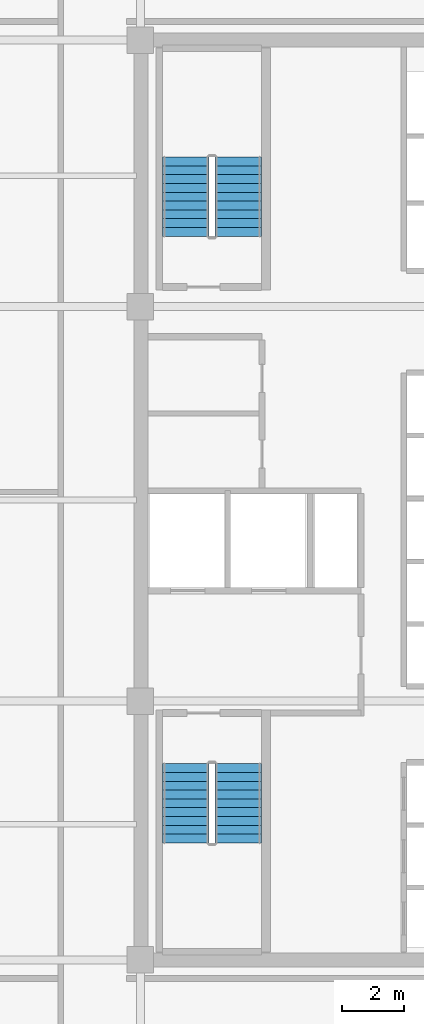
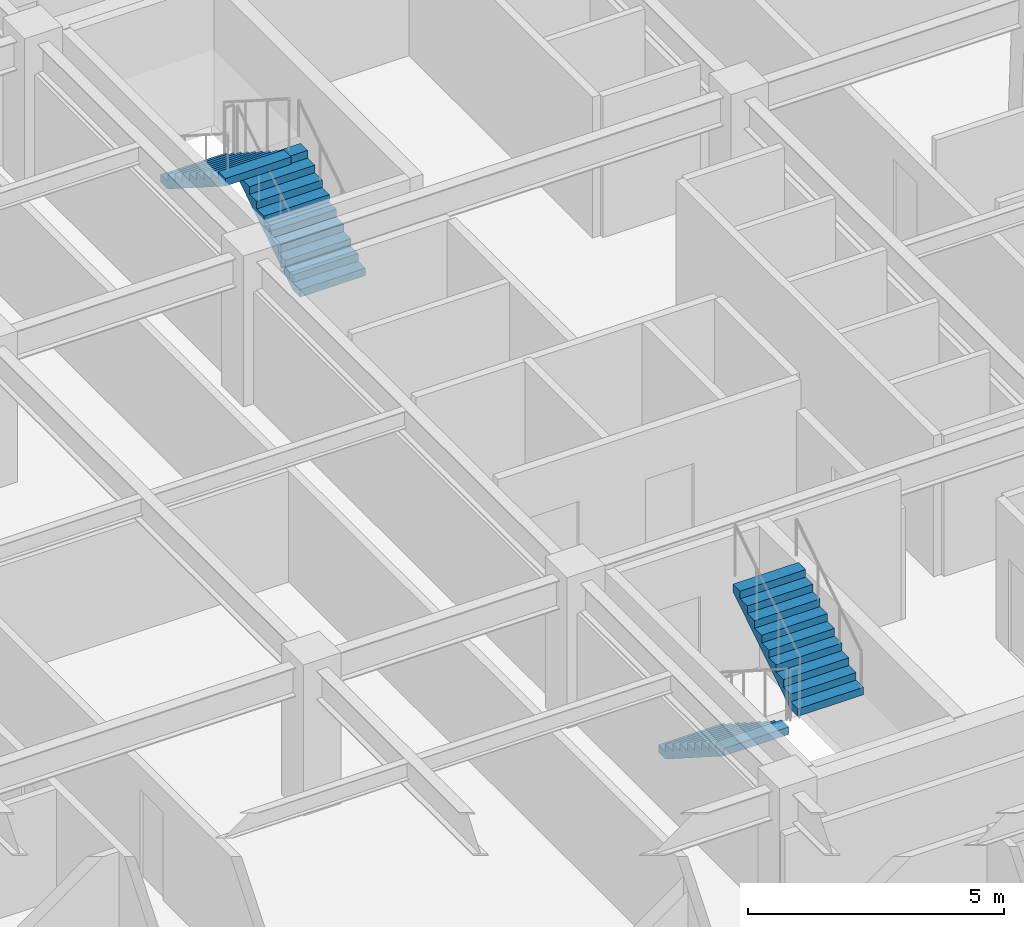
# One storey, part 12 of 13: 4 stair flights, 2 elements without a shape of their own.
"""IFC4 building model written with IfcOpenShell, lengths in metres."""

from ifc_helpers import new_model, si_unit, direction, frame, origin, place, context, subcontext, project, spatial, polyline, outline, extrude, material, type_object, element, aggregate, save


model = new_model("IFC4")

# Units and contexts
model_context = context("Model", 3, precision=1e-05, world=origin(), true_north=direction((0.0, 1.0)))
body_context = subcontext(model_context, "Body", "Model", "MODEL_VIEW")
ifc_project = project(units=[si_unit("LENGTHUNIT", "METRE"), si_unit("AREAUNIT", "SQUARE_METRE"), si_unit("VOLUMEUNIT", "CUBIC_METRE"), si_unit("PLANEANGLEUNIT", "RADIAN"), si_unit("MASSUNIT", "GRAM", prefix="KILO")], contexts=[model_context])

# Site, building, storey
site_placement = place(None, origin())
site = spatial("IfcSite", under=ifc_project, at=site_placement, CompositionType="ELEMENT")
building_placement = place(site_placement, origin())
building = spatial("IfcBuilding", under=site, at=building_placement, Name="Ochreholt Gables", CompositionType="ELEMENT")
storey_placement = place(building_placement, frame((0.0, 0.0, 49.199951171875)))
storey = spatial("IfcBuildingStorey", under=building, at=storey_placement, Name="L12", CompositionType="ELEMENT", Elevation=49.199951171875)

# Stair, stair flights
ifc_material = material(Name="Concrete 40 MPa", Category="concrete")
stair_type_1 = type_object("IfcStairType", Name="STAIR-CORE-ST-1", PredefinedType="HALF_TURN_STAIR", material=ifc_material)
stair_1_placement = place(storey_placement, origin())
stair_1 = element("IfcStair", 1, at=stair_1_placement, inside=storey, type_object=stair_type_1, Name="L12 Core Exit Stair 1", PredefinedType="HALF_TURN_STAIR")
stair_flight_type = type_object("IfcStairFlightType", Name="FLIGHT-ST-1480-1800", PredefinedType="STRAIGHT", material=ifc_material)
stair_flight_1_placement = place(storey_placement, frame((25.659912109375, 15.5400390625, 0.0), z_axis=(0.0, 0.0, 1.0), x_axis=(0.0, -1.0, 0.0)))
stair_flight_1 = element("IfcStairFlight", 2, at=stair_flight_1_placement, type_object=stair_flight_type, Name="ST-1 flight 1", NumberOfRisers=10, NumberOfTreads=9, PredefinedType="STRAIGHT", RiserHeight=0.18, TreadLength=0.282, context=body_context, shape_type="SweptSolid", body=[
    extrude(outline(polyline([(0.0, 0.0), (0.0, 0.179931640625), (0.281982421875, 0.179931640625), (0.281982421875, 0.360107421875), (0.56396484375, 0.360107421875), (0.56396484375, 0.5400390625), (0.845947265625, 0.5400390625), (0.845947265625, 0.719970703125), (1.1279296875, 0.719970703125), (1.1279296875, 0.89990234375), (1.409912109375, 0.89990234375), (1.409912109375, 1.080078125), (1.69189453125, 1.080078125), (1.69189453125, 1.260009765625), (1.97412109375, 1.260009765625), (1.97412109375, 1.43994140625), (2.256103515625, 1.43994140625), (2.256103515625, 1.6201171875), (2.5380859375, 1.6201171875), (2.5380859375, 1.800048828125), (2.5380859375, 1.442138671875), (0.278564453125, 0.0), (0.0, 0.0)])), frame((0.0, 0.739990234375, 0.0), z_axis=(0.0, -1.0, 0.0), x_axis=(1.0, 0.0, 0.0)), (0.0, 0.0, 1.0), 1.47998046875),
])
stair_flight_2_placement = place(storey_placement, frame((27.340087890625, 13.001953125, 1.800048828125), z_axis=(0.0, 0.0, 1.0), x_axis=(0.0, 1.0, 0.0)))
stair_flight_2 = element("IfcStairFlight", 3, at=stair_flight_2_placement, type_object=stair_flight_type, Name="ST-1 flight 2", NumberOfRisers=10, NumberOfTreads=9, PredefinedType="STRAIGHT", RiserHeight=0.18, TreadLength=0.282, context=body_context, shape_type="SweptSolid", body=[
    extrude(outline(polyline([(0.0, 0.0), (0.0, 0.179931640625), (0.281982421875, 0.179931640625), (0.281982421875, 0.360107421875), (0.56396484375, 0.360107421875), (0.56396484375, 0.5400390625), (0.845947265625, 0.5400390625), (0.845947265625, 0.719970703125), (1.1279296875, 0.719970703125), (1.1279296875, 0.89990234375), (1.409912109375, 0.89990234375), (1.409912109375, 1.080078125), (1.69189453125, 1.080078125), (1.69189453125, 1.260009765625), (1.97412109375, 1.260009765625), (1.97412109375, 1.43994140625), (2.256103515625, 1.43994140625), (2.256103515625, 1.6201171875), (2.5380859375, 1.6201171875), (2.5380859375, 1.800048828125), (2.5380859375, 1.442138671875), (0.278564453125, 0.0), (0.0, 0.0)])), frame((0.0, 0.739990234375, 0.0), z_axis=(0.0, -1.0, 0.0), x_axis=(1.0, 0.0, 0.0)), (0.0, 0.0, 1.0), 1.47998046875),
])
aggregate(stair_1, [stair_flight_1, stair_flight_2])

stair_type_2 = type_object("IfcStairType", Name="STAIR-CORE-ST-2", PredefinedType="HALF_TURN_STAIR", material=ifc_material)
stair_2_placement = place(storey_placement, origin())
stair_2 = element("IfcStair", 4, at=stair_2_placement, inside=storey, type_object=stair_type_2, Name="L12 Core Exit Stair 2", PredefinedType="HALF_TURN_STAIR")
stair_flight_3_placement = place(storey_placement, frame((27.340087890625, 32.4599609375, 0.0), z_axis=(0.0, 0.0, 1.0), x_axis=(0.0, 1.0, 0.0)))
stair_flight_3 = element("IfcStairFlight", 5, at=stair_flight_3_placement, type_object=stair_flight_type, Name="ST-2 flight 1", NumberOfRisers=10, NumberOfTreads=9, PredefinedType="STRAIGHT", RiserHeight=0.18, TreadLength=0.282, context=body_context, shape_type="SweptSolid", body=[
    extrude(outline(polyline([(0.0, 0.0), (0.0, 0.179931640625), (0.281982421875, 0.179931640625), (0.281982421875, 0.360107421875), (0.56396484375, 0.360107421875), (0.56396484375, 0.5400390625), (0.845947265625, 0.5400390625), (0.845947265625, 0.719970703125), (1.1279296875, 0.719970703125), (1.1279296875, 0.89990234375), (1.409912109375, 0.89990234375), (1.409912109375, 1.080078125), (1.69189453125, 1.080078125), (1.69189453125, 1.260009765625), (1.97412109375, 1.260009765625), (1.97412109375, 1.43994140625), (2.256103515625, 1.43994140625), (2.256103515625, 1.6201171875), (2.5380859375, 1.6201171875), (2.5380859375, 1.800048828125), (2.5380859375, 1.442138671875), (0.278564453125, 0.0), (0.0, 0.0)])), frame((0.0, 0.739990234375, 0.0), z_axis=(0.0, -1.0, 0.0), x_axis=(1.0, 0.0, 0.0)), (0.0, 0.0, 1.0), 1.47998046875),
])
stair_flight_4_placement = place(storey_placement, frame((25.659912109375, 34.998046875, 1.800048828125), z_axis=(0.0, 0.0, 1.0), x_axis=(0.0, -1.0, 0.0)))
stair_flight_4 = element("IfcStairFlight", 6, at=stair_flight_4_placement, type_object=stair_flight_type, Name="ST-2 flight 2", NumberOfRisers=10, NumberOfTreads=9, PredefinedType="STRAIGHT", RiserHeight=0.18, TreadLength=0.282, context=body_context, shape_type="SweptSolid", body=[
    extrude(outline(polyline([(0.0, 0.0), (0.0, 0.179931640625), (0.281982421875, 0.179931640625), (0.281982421875, 0.360107421875), (0.56396484375, 0.360107421875), (0.56396484375, 0.5400390625), (0.845947265625, 0.5400390625), (0.845947265625, 0.719970703125), (1.1279296875, 0.719970703125), (1.1279296875, 0.89990234375), (1.409912109375, 0.89990234375), (1.409912109375, 1.080078125), (1.69189453125, 1.080078125), (1.69189453125, 1.260009765625), (1.97412109375, 1.260009765625), (1.97412109375, 1.43994140625), (2.256103515625, 1.43994140625), (2.256103515625, 1.6201171875), (2.5380859375, 1.6201171875), (2.5380859375, 1.800048828125), (2.5380859375, 1.442138671875), (0.278564453125, 0.0), (0.0, 0.0)])), frame((0.0, 0.739990234375, 0.0), z_axis=(0.0, -1.0, 0.0), x_axis=(1.0, 0.0, 0.0)), (0.0, 0.0, 1.0), 1.47998046875),
])
aggregate(stair_2, [stair_flight_3, stair_flight_4])

save(model, "model.ifc")
